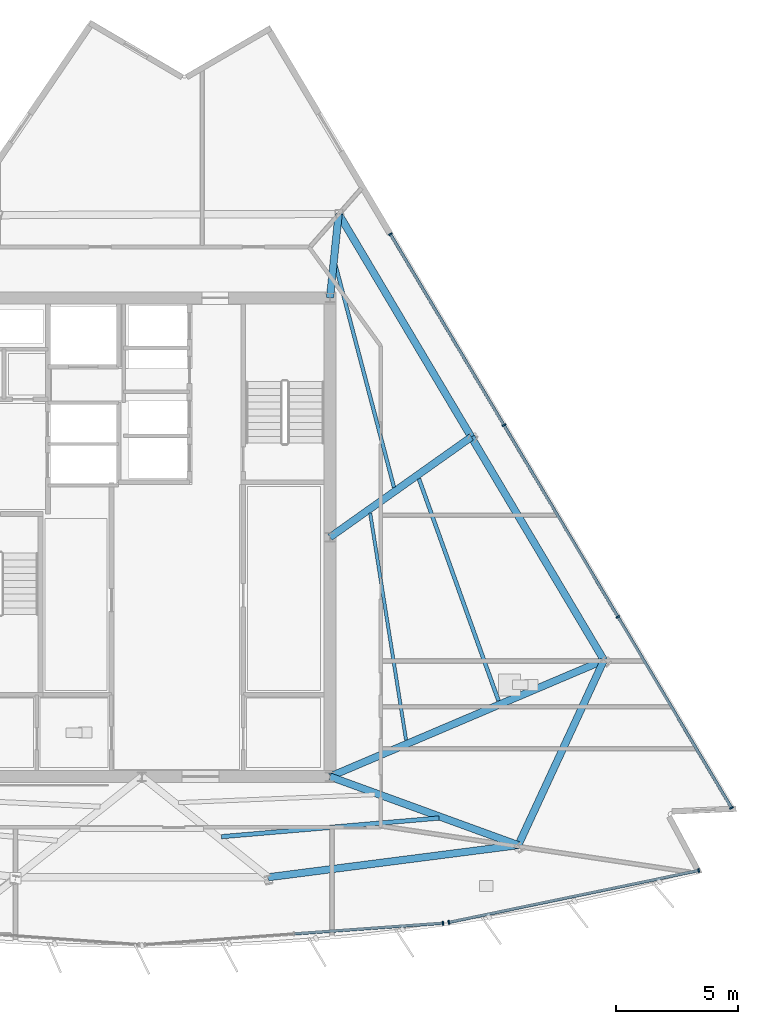
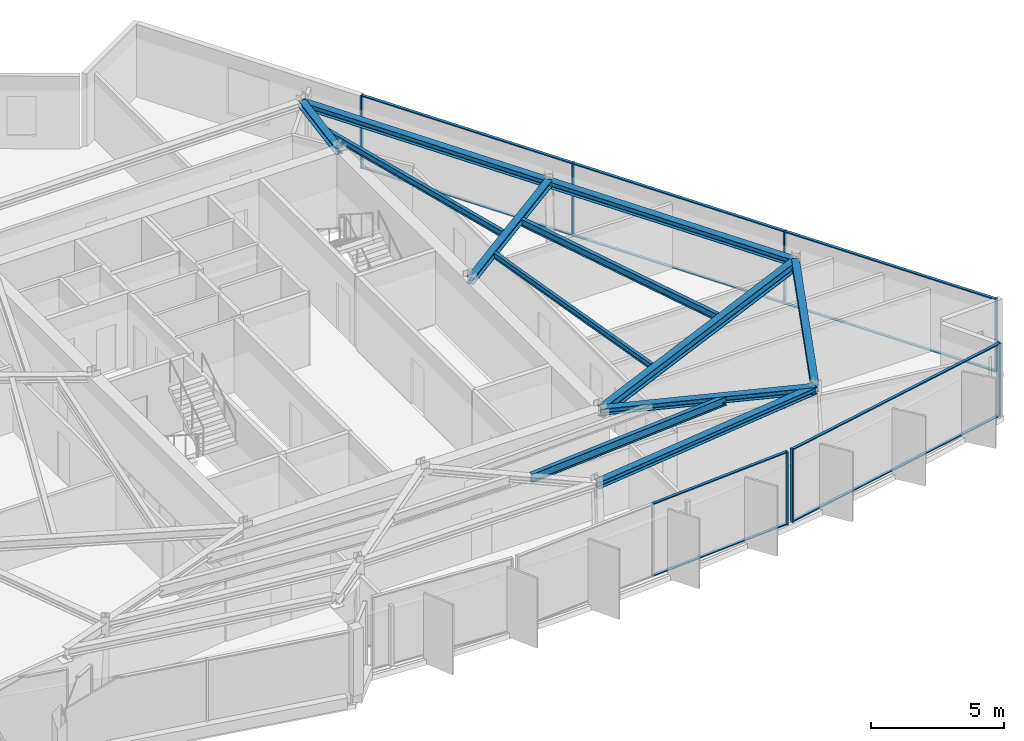
# One storey, part 5 of 13: 17 members, 12 beams, 3 elements without a shape of their own.
"""IFC4 building model written with IfcOpenShell, lengths in metres."""

from ifc_helpers import new_model, si_unit, direction, frame, origin, origin_2d, place, context, subcontext, project, spatial, rectangle, i_section, extrude, material, material_profile, profile_set, type_object, element, aggregate, save


model = new_model("IFC4")

# Units and contexts
model_context = context("Model", 3, precision=1e-05, world=origin(), true_north=direction((0.0, 1.0)))
body_context = subcontext(model_context, "Body", "Model", "MODEL_VIEW")
ifc_project = project(units=[si_unit("LENGTHUNIT", "METRE"), si_unit("AREAUNIT", "SQUARE_METRE"), si_unit("VOLUMEUNIT", "CUBIC_METRE"), si_unit("PLANEANGLEUNIT", "RADIAN"), si_unit("MASSUNIT", "GRAM", prefix="KILO")], contexts=[model_context])

# Site, building, storey
site_placement = place(None, origin())
site = spatial("IfcSite", under=ifc_project, at=site_placement, CompositionType="ELEMENT")
building_placement = place(site_placement, origin())
building = spatial("IfcBuilding", under=site, at=building_placement, Name="Savorim Split Tower", CompositionType="ELEMENT")
storey_placement = place(building_placement, frame((0.0, 0.0, 272.39990234375)))
storey = spatial("IfcBuildingStorey", under=building, at=storey_placement, Name="L72", CompositionType="ELEMENT", Elevation=272.39990234375)

# Beams
ifc_material_1 = material(Name="Steel S355", Category="steel")
ifc_material_profile_1 = material_profile(ifc_material_1, i_section(OverallWidth=0.135009765625, OverallDepth=0.27001953125, WebThickness=0.006591796875, FlangeThickness=0.01025390625, FilletRadius=0.014892578125, at=origin_2d()), Name="IPE 270")
ifc_profile_set_1 = profile_set([ifc_material_profile_1], Name="Steel S355")
beam_type_1 = type_object("IfcBeamType", Name="BM-JST-IPE270", PredefinedType="JOIST", material=ifc_profile_set_1)
beam_1_placement = place(storey_placement, frame((10.815673828125, -7.906494140625, 3.215087890625), z_axis=(-0.156238259708, 0.98771939649, 0.0), x_axis=(-0.98771939649, -0.156238259708, 0.0)))
element("IfcBeam", 1, at=beam_1_placement, inside=storey, type_object=beam_type_1, Name="L72 Secondary Floor Joist JS-08", PredefinedType="JOIST", context=body_context, shape_type="SweptSolid", body=[
    extrude(i_section(OverallWidth=0.135009765625, OverallDepth=0.27001953125, WebThickness=0.006591796875, FlangeThickness=0.01025390625, FilletRadius=0.014892578125, at=origin_2d()), origin(), (0.0, 0.0, 1.0), 9.4130859375),
])
ifc_material_profile_2 = material_profile(ifc_material_1, i_section(OverallWidth=0.14990234375, OverallDepth=0.300048828125, WebThickness=0.007080078125, FlangeThickness=0.0107421875, FilletRadius=0.014892578125, at=origin_2d()), Name="IPE 300")
ifc_profile_set_2 = profile_set([ifc_material_profile_2], Name="Steel S355")
beam_type_2 = type_object("IfcBeamType", Name="BM-JST-IPE300", PredefinedType="JOIST", material=ifc_profile_set_2)
beam_2_placement = place(storey_placement, frame((10.32080078125, 2.4423828125, 3.2001953125), z_axis=(-0.254512280756, 0.967069541938, 0.0), x_axis=(-0.967069541938, -0.254512280756, 0.0)))
element("IfcBeam", 2, at=beam_2_placement, inside=storey, type_object=beam_type_2, Name="L72 Secondary Floor Joist JS-07", PredefinedType="JOIST", context=body_context, shape_type="SweptSolid", body=[
    extrude(i_section(OverallWidth=0.14990234375, OverallDepth=0.300048828125, WebThickness=0.007080078125, FlangeThickness=0.0107421875, FilletRadius=0.014892578125, at=origin_2d()), origin(), (0.0, 0.0, 1.0), 9.49658203125),
])
ifc_material_profile_3 = material_profile(ifc_material_1, i_section(OverallWidth=0.159912109375, OverallDepth=0.330078125, WebThickness=0.007568359375, FlangeThickness=0.011474609375, FilletRadius=0.01806640625, at=origin_2d()), Name="IPE 330")
ifc_profile_set_3 = profile_set([ifc_material_profile_3], Name="Steel S355")
beam_type_3 = type_object("IfcBeamType", Name="BM-JST-IPE330", PredefinedType="JOIST", material=ifc_profile_set_3)
beam_3_placement = place(storey_placement, frame((14.600341796875, -6.2919921875, 3.18505859375), z_axis=(-0.337643554642, 0.941274046178, 0.0), x_axis=(-0.941274046178, -0.337643554642, 0.0)))
element("IfcBeam", 3, at=beam_3_placement, inside=storey, type_object=beam_type_3, Name="L72 Secondary Floor Joist JS-06", PredefinedType="JOIST", context=body_context, shape_type="SweptSolid", body=[
    extrude(i_section(OverallWidth=0.159912109375, OverallDepth=0.330078125, WebThickness=0.007568359375, FlangeThickness=0.011474609375, FilletRadius=0.01806640625, at=origin_2d()), origin(), (0.0, 0.0, 1.0), 9.65234375),
])
ifc_material_profile_4 = material_profile(ifc_material_1, i_section(OverallWidth=0.179931640625, OverallDepth=0.39990234375, WebThickness=0.008544921875, FlangeThickness=0.013427734375, FilletRadius=0.02099609375, at=origin_2d()), Name="IPE 400")
ifc_profile_set_4 = profile_set([ifc_material_profile_4], Name="Steel S355")
beam_type_4 = type_object("IfcBeamType", Name="BM-JST-IPE400", PredefinedType="JOIST", material=ifc_profile_set_4)
beam_4_placement = place(storey_placement, frame((3.258056640625, -11.859619140625, 3.150146484375), z_axis=(0.996359516466, 0.085250888248, 0.0), x_axis=(-0.085250888248, 0.996359516466, 0.0)))
element("IfcBeam", 4, at=beam_4_placement, inside=storey, type_object=beam_type_4, Name="L72 Secondary Floor Joist JS-04", PredefinedType="JOIST", context=body_context, shape_type="SweptSolid", body=[
    extrude(i_section(OverallWidth=0.179931640625, OverallDepth=0.39990234375, WebThickness=0.008544921875, FlangeThickness=0.013427734375, FilletRadius=0.02099609375, at=origin_2d()), origin(), (0.0, 0.0, 1.0), 8.940673828125),
])
ifc_material_profile_5 = material_profile(ifc_material_1, i_section(OverallWidth=0.300048828125, OverallDepth=0.300048828125, WebThickness=0.010986328125, FlangeThickness=0.01904296875, FilletRadius=0.027099609375, at=origin_2d()), Name="HEB 300")
ifc_profile_set_5 = profile_set([ifc_material_profile_5], Name="Steel S355")
beam_type_5 = type_object("IfcBeamType", Name="BM-PRI-HEB300", PredefinedType="BEAM", material=ifc_profile_set_5)
beam_5_placement = place(storey_placement, frame((15.409423828125, -12.20654296875, 3.2001953125), z_axis=(-0.939668250561, 0.342087092547, 0.0), x_axis=(-0.342087092547, -0.939668250561, 0.0)))
element("IfcBeam", 5, at=beam_5_placement, inside=storey, type_object=beam_type_5, Name="L72 Primary Floor Girder RG-04", PredefinedType="BEAM", context=body_context, shape_type="SweptSolid", body=[
    extrude(i_section(OverallWidth=0.300048828125, OverallDepth=0.300048828125, WebThickness=0.010986328125, FlangeThickness=0.01904296875, FilletRadius=0.027099609375, at=origin_2d()), origin(), (0.0, 0.0, 1.0), 8.204345703125),
])
beam_6_placement = place(storey_placement, frame((13.48583984375, 4.50341796875, 3.2001953125), z_axis=(-0.815680033651, -0.578503312612, 0.0), x_axis=(0.578503312612, -0.815680033651, 0.0)))
element("IfcBeam", 6, at=beam_6_placement, inside=storey, type_object=beam_type_5, Name="L72 Primary Floor Girder RG-06", PredefinedType="BEAM", context=body_context, shape_type="SweptSolid", body=[
    extrude(i_section(OverallWidth=0.300048828125, OverallDepth=0.300048828125, WebThickness=0.010986328125, FlangeThickness=0.01904296875, FilletRadius=0.027099609375, at=origin_2d()), origin(), (0.0, 0.0, 1.0), 7.09326171875),
])
beam_7_placement = place(storey_placement, frame((8.0546875, 13.636962890625, 3.2001953125), z_axis=(-0.102665313558, -0.994715956136, 0.0), x_axis=(0.994715956136, -0.102665313558, 0.0)))
element("IfcBeam", 7, at=beam_7_placement, inside=storey, type_object=beam_type_5, Name="L72 Primary Floor Girder RG-07", PredefinedType="BEAM", context=body_context, shape_type="SweptSolid", body=[
    extrude(i_section(OverallWidth=0.300048828125, OverallDepth=0.300048828125, WebThickness=0.010986328125, FlangeThickness=0.01904296875, FilletRadius=0.027099609375, at=origin_2d()), origin(), (0.0, 0.0, 1.0), 3.455322265625),
])
ifc_material_profile_6 = material_profile(ifc_material_1, i_section(OverallWidth=0.300048828125, OverallDepth=0.449951171875, WebThickness=0.013916015625, FlangeThickness=0.02587890625, FilletRadius=0.027099609375, at=origin_2d()), Name="HEB 450")
ifc_profile_set_6 = profile_set([ifc_material_profile_6], Name="Steel S355")
beam_type_6 = type_object("IfcBeamType", Name="BM-PRI-HEB450", PredefinedType="BEAM", material=ifc_profile_set_6)
beam_8_placement = place(storey_placement, frame((18.916748046875, -4.630126953125, 3.125), z_axis=(-0.920253028608, -0.391323859914, 0.0), x_axis=(0.391323859914, -0.920253028608, 0.0)))
element("IfcBeam", 8, at=beam_8_placement, inside=storey, type_object=beam_type_6, Name="L72 Primary Floor Girder RG-05", PredefinedType="BEAM", context=body_context, shape_type="SweptSolid", body=[
    extrude(i_section(OverallWidth=0.300048828125, OverallDepth=0.449951171875, WebThickness=0.013916015625, FlangeThickness=0.02587890625, FilletRadius=0.027099609375, at=origin_2d()), origin(), (0.0, 0.0, 1.0), 12.188720703125),
])
ifc_material_profile_7 = material_profile(ifc_material_1, i_section(OverallWidth=0.300048828125, OverallDepth=0.31005859375, WebThickness=0.009033203125, FlangeThickness=0.015380859375, FilletRadius=0.027099609375, at=origin_2d()), Name="HEA 320")
ifc_profile_set_7 = profile_set([ifc_material_profile_7], Name="Steel S355")
beam_type_7 = type_object("IfcBeamType", Name="BM-SPN-HEA320", PredefinedType="SPANDREL", material=ifc_profile_set_7)
beam_9_placement = place(storey_placement, frame((5.16455078125, -13.521728515625, 3.195068359375), z_axis=(0.991860399348, 0.127330075812, 0.0), x_axis=(-0.127330075812, 0.991860399348, 0.0)))
element("IfcBeam", 9, at=beam_9_placement, inside=storey, type_object=beam_type_7, Name="L72 Perimeter Spandrel Beam 3", PredefinedType="SPANDREL", context=body_context, shape_type="SweptSolid", body=[
    extrude(i_section(OverallWidth=0.300048828125, OverallDepth=0.31005859375, WebThickness=0.009033203125, FlangeThickness=0.015380859375, FilletRadius=0.027099609375, at=origin_2d()), origin(), (0.0, 0.0, 1.0), 10.328857421875),
])
beam_10_placement = place(storey_placement, frame((15.409423828125, -12.20654296875, 3.195068359375), z_axis=(0.420096365303, 0.907479500518, 0.0), x_axis=(-0.907479500518, 0.420096365303, 0.0)))
element("IfcBeam", 10, at=beam_10_placement, inside=storey, type_object=beam_type_7, Name="L72 Perimeter Spandrel Beam 4", PredefinedType="SPANDREL", context=body_context, shape_type="SweptSolid", body=[
    extrude(i_section(OverallWidth=0.300048828125, OverallDepth=0.31005859375, WebThickness=0.009033203125, FlangeThickness=0.015380859375, FilletRadius=0.027099609375, at=origin_2d()), origin(), (0.0, 0.0, 1.0), 8.348876953125),
])
for number, where, z_axis, x_axis, name in (
    (11, (18.916748046875, -4.630126953125, 3.195068359375), (-0.511085944374, 0.85952961407, 0.0), (-0.85952961407, -0.511085944374, 0.0), "L72 Perimeter Spandrel Beam 5"),
    (12, (13.48583984375, 4.50341796875, 3.195068359375), (-0.511102918037, 0.859519521113, 0.0), (-0.859519521113, -0.511102918037, 0.0), "L72 Perimeter Spandrel Beam 6"),
):
    element("IfcBeam", number, at=place(storey_placement, frame(where, z_axis=z_axis, x_axis=x_axis)), inside=storey, type_object=beam_type_7, Name=name, PredefinedType="SPANDREL", context=body_context, shape_type="SweptSolid", body=[
        extrude(i_section(OverallWidth=0.300048828125, OverallDepth=0.31005859375, WebThickness=0.009033203125, FlangeThickness=0.015380859375, FilletRadius=0.027099609375, at=origin_2d()), origin(), (0.0, 0.0, 1.0), 10.626220703125),
    ])

# Curtain wall, member
ifc_material_2 = material(Name="Dark Ceramic-Fritted Insulated Glass", Category="glass")
curtain_wall_type = type_object("IfcCurtainWallType", Name="CW-TWR-FRIT-B", PredefinedType="NOTDEFINED", material=ifc_material_2)
curtain_wall_1_placement = place(storey_placement, origin())
curtain_wall_1 = element("IfcCurtainWall", 13, at=curtain_wall_1_placement, inside=storey, type_object=curtain_wall_type, Name="L72 Curtain Wall CW-L72-SF3A", PredefinedType="NOTDEFINED")
ifc_material_3 = material(Name="Charcoal Anodised Aluminium", Category="aluminium")
ifc_material_profile_8 = material_profile(ifc_material_3, rectangle(XDim=0.159912109375, YDim=0.06005859375, at=origin_2d()), Name="ALU-M 160x60")
ifc_profile_set_8 = profile_set([ifc_material_profile_8], Name="Charcoal Anodised Aluminium")
member_type_1 = type_object("IfcMemberType", Name="CWM-160x60", PredefinedType="MULLION", material=ifc_profile_set_8)
member_1_placement = place(storey_placement, frame((12.322265625, -15.39892578125, 0.0), z_axis=(0.0, 0.0, 1.0), x_axis=(-0.071564439004, 0.997435978432, 0.0)))
member_1 = element("IfcMember", 14, at=member_1_placement, type_object=member_type_1, Name="CW-03 mullion 3", PredefinedType="MULLION", context=body_context, shape_type="SweptSolid", body=[
    extrude(rectangle(XDim=0.159912109375, YDim=0.06005859375, at=origin_2d()), origin(), (0.0, 0.0, 1.0), 3.35009765625),
])

# Curtain wall, members
curtain_wall_2_placement = place(storey_placement, origin())
curtain_wall_2 = element("IfcCurtainWall", 15, at=curtain_wall_2_placement, inside=storey, type_object=curtain_wall_type, Name="L72 Curtain Wall CW-L72-SF4A", PredefinedType="NOTDEFINED")
member_2_placement = place(storey_placement, frame((12.563232421875, -15.365234375, 0.0), z_axis=(0.0, 0.0, 1.0), x_axis=(-0.20321026105, 0.979135123364, 0.0)))
member_2 = element("IfcMember", 16, at=member_2_placement, type_object=member_type_1, Name="CW-03 mullion 1", PredefinedType="MULLION", context=body_context, shape_type="SweptSolid", body=[
    extrude(rectangle(XDim=0.159912109375, YDim=0.06005859375, at=origin_2d()), origin(), (0.0, 0.0, 1.0), 3.35009765625),
])
member_3_placement = place(storey_placement, frame((22.79541015625, -13.24169921875, 0.0), z_axis=(0.0, 0.0, 1.0), x_axis=(-0.20321026105, 0.979135123364, 0.0)))
member_3 = element("IfcMember", 17, at=member_3_placement, type_object=member_type_1, Name="CW-03 mullion 2", PredefinedType="MULLION", context=body_context, shape_type="SweptSolid", body=[
    extrude(rectangle(XDim=0.159912109375, YDim=0.06005859375, at=origin_2d()), origin(), (0.0, 0.0, 1.0), 3.35009765625),
])

curtain_wall_3_placement = place(storey_placement, origin())
curtain_wall_3 = element("IfcCurtainWall", 18, at=curtain_wall_3_placement, inside=storey, type_object=curtain_wall_type, Name="L72 Curtain Wall CW-L72-EAST", PredefinedType="NOTDEFINED")
member_4_placement = place(storey_placement, frame((24.138427734375, -10.678955078125, 0.0), z_axis=(0.0, 0.0, 1.0), x_axis=(-0.859527043432, -0.511090267573, 0.0)))
member_4 = element("IfcMember", 19, at=member_4_placement, type_object=member_type_1, Name="CW-03 mullion 1", PredefinedType="MULLION", context=body_context, shape_type="SweptSolid", body=[
    extrude(rectangle(XDim=0.159912109375, YDim=0.06005859375, at=origin_2d()), origin(), (0.0, 0.0, 1.0), 3.35009765625),
])
member_5_placement = place(storey_placement, frame((19.48828125, -2.85888671875, 0.0), z_axis=(0.0, 0.0, 1.0), x_axis=(-0.859527043432, -0.511090267573, 0.0)))
member_5 = element("IfcMember", 20, at=member_5_placement, type_object=member_type_1, Name="CW-03 mullion 2", PredefinedType="MULLION", context=body_context, shape_type="SweptSolid", body=[
    extrude(rectangle(XDim=0.159912109375, YDim=0.06005859375, at=origin_2d()), origin(), (0.0, 0.0, 1.0), 3.35009765625),
])
member_6_placement = place(storey_placement, frame((14.822998046875, 4.987060546875, 0.0), z_axis=(0.0, 0.0, 1.0), x_axis=(-0.859527043432, -0.511090267573, 0.0)))
member_6 = element("IfcMember", 21, at=member_6_placement, type_object=member_type_1, Name="CW-03 mullion 3", PredefinedType="MULLION", context=body_context, shape_type="SweptSolid", body=[
    extrude(rectangle(XDim=0.159912109375, YDim=0.06005859375, at=origin_2d()), origin(), (0.0, 0.0, 1.0), 3.35009765625),
])
member_7_placement = place(storey_placement, frame((10.173095703125, 12.80712890625, 0.0), z_axis=(0.0, 0.0, 1.0), x_axis=(-0.859527043432, -0.511090267573, 0.0)))
member_7 = element("IfcMember", 22, at=member_7_placement, type_object=member_type_1, Name="CW-03 mullion 4", PredefinedType="MULLION", context=body_context, shape_type="SweptSolid", body=[
    extrude(rectangle(XDim=0.159912109375, YDim=0.06005859375, at=origin_2d()), origin(), (0.0, 0.0, 1.0), 3.35009765625),
])

# Member
ifc_material_profile_9 = material_profile(ifc_material_3, rectangle(XDim=0.1201171875, YDim=0.050048828125, at=origin_2d()), Name="ALU-T 120x50")
ifc_profile_set_9 = profile_set([ifc_material_profile_9], Name="Charcoal Anodised Aluminium")
member_type_2 = type_object("IfcMemberType", Name="CWT-120x50", PredefinedType="USERDEFINED", material=ifc_profile_set_9)
member_8_placement = place(storey_placement, frame((6.25146484375, -15.83447265625, 0.025146484375), z_axis=(0.997433879583, 0.071593685897, 0.0), x_axis=(-0.071593685897, 0.997433879583, 0.0)))
member_8 = element("IfcMember", 23, at=member_8_placement, type_object=member_type_2, Name="CW-03 transom 2.1", ObjectType="TRANSOM", PredefinedType="USERDEFINED", context=body_context, shape_type="SweptSolid", body=[
    extrude(rectangle(XDim=0.1201171875, YDim=0.050048828125, at=origin_2d()), origin(), (0.0, 0.0, 1.0), 6.056396484375),
])

member_9_placement = place(storey_placement, frame((6.25146484375, -15.83447265625, 3.3251953125), z_axis=(0.997433879583, 0.071593685897, 0.0), x_axis=(-0.071593685897, 0.997433879583, 0.0)))
member_9 = element("IfcMember", 24, at=member_9_placement, type_object=member_type_2, Name="CW-03 transom 2.2", ObjectType="TRANSOM", PredefinedType="USERDEFINED", context=body_context, shape_type="SweptSolid", body=[
    extrude(rectangle(XDim=0.1201171875, YDim=0.050048828125, at=origin_2d()), origin(), (0.0, 0.0, 1.0), 6.056396484375),
])

aggregate(curtain_wall_1, [member_1, member_8, member_9])

member_10_placement = place(storey_placement, frame((12.592529296875, -15.359130859375, 0.025146484375), z_axis=(0.979137101237, 0.20320073076, 0.0), x_axis=(-0.20320073076, 0.979137101237, 0.0)))
member_10 = element("IfcMember", 25, at=member_10_placement, type_object=member_type_2, Name="CW-03 transom 1.1", ObjectType="TRANSOM", PredefinedType="USERDEFINED", context=body_context, shape_type="SweptSolid", body=[
    extrude(rectangle(XDim=0.1201171875, YDim=0.050048828125, at=origin_2d()), origin(), (0.0, 0.0, 1.0), 10.390380859375),
])

member_11_placement = place(storey_placement, frame((12.592529296875, -15.359130859375, 3.3251953125), z_axis=(0.979137101237, 0.20320073076, 0.0), x_axis=(-0.20320073076, 0.979137101237, 0.0)))
member_11 = element("IfcMember", 26, at=member_11_placement, type_object=member_type_2, Name="CW-03 transom 1.2", ObjectType="TRANSOM", PredefinedType="USERDEFINED", context=body_context, shape_type="SweptSolid", body=[
    extrude(rectangle(XDim=0.1201171875, YDim=0.050048828125, at=origin_2d()), origin(), (0.0, 0.0, 1.0), 10.390380859375),
])

aggregate(curtain_wall_2, [member_2, member_3, member_10, member_11])

member_12_placement = place(storey_placement, frame((24.123046875, -10.6533203125, 0.025146484375), z_axis=(-0.511095349308, 0.859524021721, 0.0), x_axis=(-0.859524021721, -0.511095349308, 0.0)))
member_12 = element("IfcMember", 27, at=member_12_placement, type_object=member_type_2, Name="CW-03 transom 1.1", ObjectType="TRANSOM", PredefinedType="USERDEFINED", context=body_context, shape_type="SweptSolid", body=[
    extrude(rectangle(XDim=0.1201171875, YDim=0.050048828125, at=origin_2d()), origin(), (0.0, 0.0, 1.0), 9.0380859375),
])

member_13_placement = place(storey_placement, frame((24.123046875, -10.6533203125, 3.3251953125), z_axis=(-0.511095349308, 0.859524021721, 0.0), x_axis=(-0.859524021721, -0.511095349308, 0.0)))
member_13 = element("IfcMember", 28, at=member_13_placement, type_object=member_type_2, Name="CW-03 transom 1.2", ObjectType="TRANSOM", PredefinedType="USERDEFINED", context=body_context, shape_type="SweptSolid", body=[
    extrude(rectangle(XDim=0.1201171875, YDim=0.050048828125, at=origin_2d()), origin(), (0.0, 0.0, 1.0), 9.0380859375),
])

member_14_placement = place(storey_placement, frame((19.47314453125, -2.8330078125, 0.025146484375), z_axis=(-0.511106572679, 0.859517347913, 0.0), x_axis=(-0.859517347913, -0.511106572679, 0.0)))
member_14 = element("IfcMember", 29, at=member_14_placement, type_object=member_type_2, Name="CW-03 transom 2.1", ObjectType="TRANSOM", PredefinedType="USERDEFINED", context=body_context, shape_type="SweptSolid", body=[
    extrude(rectangle(XDim=0.1201171875, YDim=0.050048828125, at=origin_2d()), origin(), (0.0, 0.0, 1.0), 9.068115234375),
])

member_15_placement = place(storey_placement, frame((19.47314453125, -2.8330078125, 3.3251953125), z_axis=(-0.511106572679, 0.859517347913, 0.0), x_axis=(-0.859517347913, -0.511106572679, 0.0)))
member_15 = element("IfcMember", 30, at=member_15_placement, type_object=member_type_2, Name="CW-03 transom 2.2", ObjectType="TRANSOM", PredefinedType="USERDEFINED", context=body_context, shape_type="SweptSolid", body=[
    extrude(rectangle(XDim=0.1201171875, YDim=0.050048828125, at=origin_2d()), origin(), (0.0, 0.0, 1.0), 9.068115234375),
])

member_16_placement = place(storey_placement, frame((14.8076171875, 5.012939453125, 0.025146484375), z_axis=(-0.511075392877, 0.859535888021, 0.0), x_axis=(-0.859535888021, -0.511075392877, 0.0)))
member_16 = element("IfcMember", 31, at=member_16_placement, type_object=member_type_2, Name="CW-03 transom 3.1", ObjectType="TRANSOM", PredefinedType="USERDEFINED", context=body_context, shape_type="SweptSolid", body=[
    extrude(rectangle(XDim=0.1201171875, YDim=0.050048828125, at=origin_2d()), origin(), (0.0, 0.0, 1.0), 9.0380859375),
])

member_17_placement = place(storey_placement, frame((14.8076171875, 5.012939453125, 3.3251953125), z_axis=(-0.511075392877, 0.859535888021, 0.0), x_axis=(-0.859535888021, -0.511075392877, 0.0)))
member_17 = element("IfcMember", 32, at=member_17_placement, type_object=member_type_2, Name="CW-03 transom 3.2", ObjectType="TRANSOM", PredefinedType="USERDEFINED", context=body_context, shape_type="SweptSolid", body=[
    extrude(rectangle(XDim=0.1201171875, YDim=0.050048828125, at=origin_2d()), origin(), (0.0, 0.0, 1.0), 9.0380859375),
])

aggregate(curtain_wall_3, [member_4, member_5, member_6, member_7, member_12, member_13, member_14, member_15, member_16, member_17])

save(model, "model.ifc")
